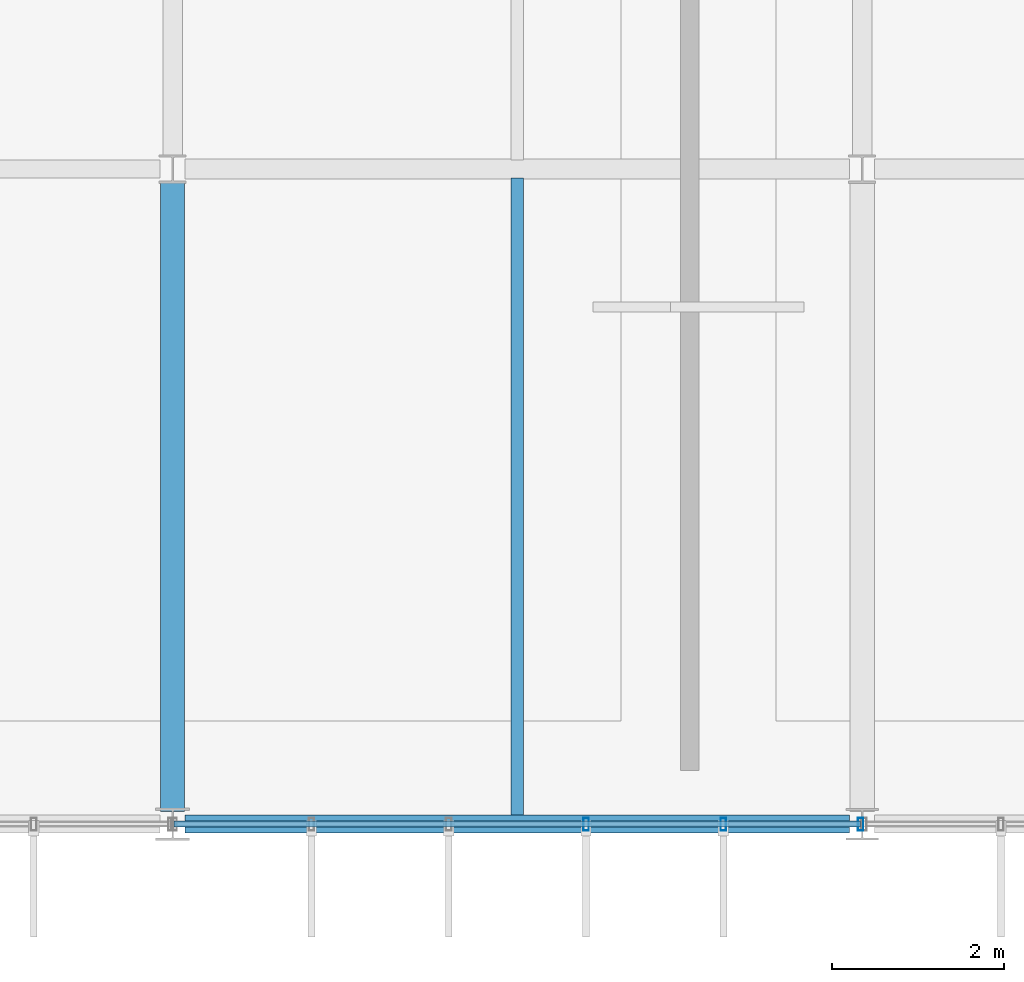
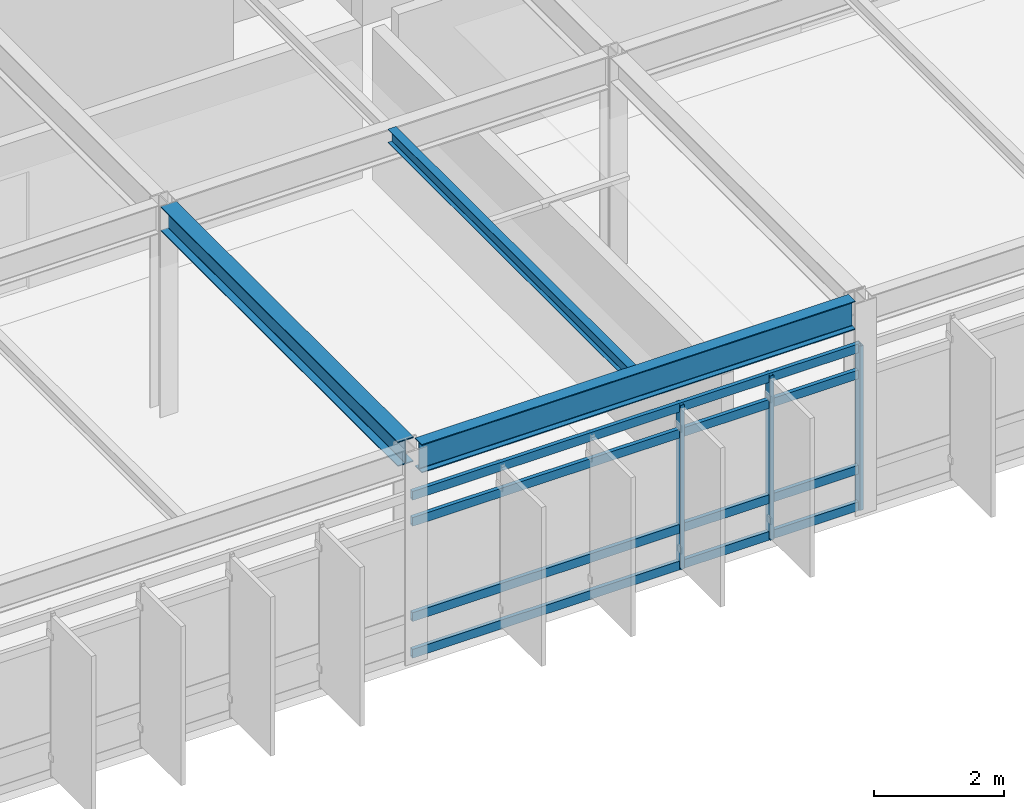
# One storey, part 19 of 85: 7 members, 3 beams, 1 element without a shape of its own.
"""IFC4 building model written with IfcOpenShell, lengths in metres."""

from ifc_helpers import new_model, si_unit, direction, frame, origin, origin_2d, place, context, subcontext, project, spatial, hollow_rectangle, i_section, extrude, material, material_profile, profile_set, type_object, element, aggregate, save


model = new_model("IFC4")

# Units and contexts
model_context = context("Model", 3, precision=1e-05, world=origin(), true_north=direction((0.0, 1.0)))
body_context = subcontext(model_context, "Body", "Model", "MODEL_VIEW")
ifc_project = project(units=[si_unit("LENGTHUNIT", "METRE"), si_unit("AREAUNIT", "SQUARE_METRE"), si_unit("VOLUMEUNIT", "CUBIC_METRE"), si_unit("PLANEANGLEUNIT", "RADIAN"), si_unit("MASSUNIT", "GRAM", prefix="KILO")], contexts=[model_context])

# Site, building, storey
site_placement = place(None, origin())
site = spatial("IfcSite", under=ifc_project, at=site_placement, CompositionType="ELEMENT")
building_placement = place(site_placement, origin())
building = spatial("IfcBuilding", under=site, at=building_placement, Name="Zulena Civic Courthouse", CompositionType="ELEMENT")
storey_placement = place(building_placement, frame((0.0, 0.0, 25.199951171875)))
storey = spatial("IfcBuildingStorey", under=building, at=storey_placement, Name="L05", CompositionType="ELEMENT", Elevation=25.199951171875)

# Curtain wall, members
ifc_material_1 = material(Name="Double-silver low-E laminated solar-control glass", Category="glass")
curtain_wall_type = type_object("IfcCurtainWallType", Name="CW_7964x3090", PredefinedType="USERDEFINED", material=ifc_material_1)
curtain_wall_placement = place(storey_placement, origin())
curtain_wall = element("IfcCurtainWall", 1, at=curtain_wall_placement, inside=storey, type_object=curtain_wall_type, Name="cw:V2:L05:3:6", ObjectType="UNITISED CURTAIN WALL", PredefinedType="USERDEFINED")
ifc_material_2 = material(Name="Bronze anodised thermally broken aluminium AA6063-T6", Category="aluminium")
ifc_material_profile_1 = material_profile(ifc_material_2, hollow_rectangle(XDim=0.06494140625, YDim=0.14990234375, WallThickness=0.00390625, at=origin_2d()), Name="CWM150X65X4")
ifc_profile_set_1 = profile_set([ifc_material_profile_1], Name="Bronze anodised thermally broken aluminium AA6063-T6")
member_type_1 = type_object("IfcMemberType", Name="CWMullion_150x65", PredefinedType="MULLION", material=ifc_profile_set_1)
member_1_placement = place(storey_placement, frame((19.98193359375, 0.0, 0.0), z_axis=(0.0, 0.0, 1.0), x_axis=(1.0, 0.0, 0.0)))
member_1 = element("IfcMember", 2, at=member_1_placement, type_object=member_type_1, Name="cw:V2:L05:3:6:mull:0", PredefinedType="MULLION", context=body_context, shape_type="SweptSolid", body=[
    extrude(hollow_rectangle(XDim=0.06494140625, YDim=0.14990234375, WallThickness=0.00390625, at=origin_2d()), origin(), (0.0, 0.0, 1.0), 3.090087890625),
])
member_2_placement = place(storey_placement, frame((18.38916015625, 0.0, 0.0), z_axis=(0.0, 0.0, 1.0), x_axis=(1.0, 0.0, 0.0)))
member_2 = element("IfcMember", 3, at=member_2_placement, type_object=member_type_1, Name="cw:V2:L05:3:6:mull:1", PredefinedType="MULLION", context=body_context, shape_type="SweptSolid", body=[
    extrude(hollow_rectangle(XDim=0.06494140625, YDim=0.14990234375, WallThickness=0.00390625, at=origin_2d()), origin(), (0.0, 0.0, 1.0), 3.090087890625),
])
member_3_placement = place(storey_placement, frame((16.79638671875, 0.0, 0.0), z_axis=(0.0, 0.0, 1.0), x_axis=(1.0, 0.0, 0.0)))
member_3 = element("IfcMember", 4, at=member_3_placement, type_object=member_type_1, Name="cw:V2:L05:3:6:mull:2", PredefinedType="MULLION", context=body_context, shape_type="SweptSolid", body=[
    extrude(hollow_rectangle(XDim=0.06494140625, YDim=0.14990234375, WallThickness=0.00390625, at=origin_2d()), origin(), (0.0, 0.0, 1.0), 3.090087890625),
])
ifc_material_profile_2 = material_profile(ifc_material_2, hollow_rectangle(XDim=0.070068359375, YDim=0.1650390625, WallThickness=0.00390625, at=origin_2d()), Name="CWT165X70X4")
ifc_profile_set_2 = profile_set([ifc_material_profile_2], Name="Bronze anodised thermally broken aluminium AA6063-T6")
member_type_2 = type_object("IfcMemberType", Name="CWTransom_165x70", PredefinedType="USERDEFINED", material=ifc_profile_set_2)
member_4_placement = place(storey_placement, frame((19.98193359375, 0.0, 0.06005859375), z_axis=(-1.0, 0.0, 0.0), x_axis=(0.0, -1.0, 0.0)))
member_4 = element("IfcMember", 5, at=member_4_placement, type_object=member_type_2, Name="cw:V2:L05:3:6:tran:0", ObjectType="TRANSOM", PredefinedType="USERDEFINED", context=body_context, shape_type="SweptSolid", body=[
    extrude(hollow_rectangle(XDim=0.070068359375, YDim=0.1650390625, WallThickness=0.00390625, at=origin_2d()), origin(), (0.0, 0.0, 1.0), 7.9638671875),
])
member_5_placement = place(storey_placement, frame((19.98193359375, 0.0, 0.75), z_axis=(-1.0, 0.0, 0.0), x_axis=(0.0, -1.0, 0.0)))
member_5 = element("IfcMember", 6, at=member_5_placement, type_object=member_type_2, Name="cw:V2:L05:3:6:tran:1", ObjectType="TRANSOM", PredefinedType="USERDEFINED", context=body_context, shape_type="SweptSolid", body=[
    extrude(hollow_rectangle(XDim=0.070068359375, YDim=0.1650390625, WallThickness=0.00390625, at=origin_2d()), origin(), (0.0, 0.0, 1.0), 7.9638671875),
])
member_6_placement = place(storey_placement, frame((19.98193359375, 0.0, 2.5400390625), z_axis=(-1.0, 0.0, 0.0), x_axis=(0.0, -1.0, 0.0)))
member_6 = element("IfcMember", 7, at=member_6_placement, type_object=member_type_2, Name="cw:V2:L05:3:6:tran:2", ObjectType="TRANSOM", PredefinedType="USERDEFINED", context=body_context, shape_type="SweptSolid", body=[
    extrude(hollow_rectangle(XDim=0.070068359375, YDim=0.1650390625, WallThickness=0.00390625, at=origin_2d()), origin(), (0.0, 0.0, 1.0), 7.9638671875),
])
member_7_placement = place(storey_placement, frame((19.98193359375, 0.0, 3.030029296875), z_axis=(-1.0, 0.0, 0.0), x_axis=(0.0, -1.0, 0.0)))
member_7 = element("IfcMember", 8, at=member_7_placement, type_object=member_type_2, Name="cw:V2:L05:3:6:tran:3", ObjectType="TRANSOM", PredefinedType="USERDEFINED", context=body_context, shape_type="SweptSolid", body=[
    extrude(hollow_rectangle(XDim=0.070068359375, YDim=0.1650390625, WallThickness=0.00390625, at=origin_2d()), origin(), (0.0, 0.0, 1.0), 7.9638671875),
])
aggregate(curtain_wall, [member_1, member_2, member_3, member_4, member_5, member_6, member_7])

# Beams
ifc_material_3 = material(Name="Steel ASTM A992 Grade 50", Category="steel")
ifc_material_profile_3 = material_profile(ifc_material_3, i_section(OverallWidth=0.14599609375, OverallDepth=0.258056640625, WebThickness=0.006103515625, FlangeThickness=0.009033203125, FilletRadius=0.007568359375, at=origin_2d()), Name="W10X22")
ifc_profile_set_3 = profile_set([ifc_material_profile_3], Name="Steel ASTM A992 Grade 50")
beam_type_1 = type_object("IfcBeamType", Name="Joist_W10X22", PredefinedType="JOIST", material=ifc_profile_set_3)
beam_1_placement = place(storey_placement, frame((16.0, 0.10498046875, 3.865966796875), z_axis=(0.0, 1.0, 0.0), x_axis=(-1.0, 0.0, 0.0)))
element("IfcBeam", 9, at=beam_1_placement, inside=storey, type_object=beam_type_1, Name="joist:V2:L05:16.00:0.0_7.6", PredefinedType="JOIST", context=body_context, shape_type="SweptSolid", body=[
    extrude(i_section(OverallWidth=0.14599609375, OverallDepth=0.258056640625, WebThickness=0.006103515625, FlangeThickness=0.009033203125, FilletRadius=0.007568359375, at=origin_2d()), origin(), (0.0, 0.0, 1.0), 7.39013671875),
])
ifc_material_profile_4 = material_profile(ifc_material_3, i_section(OverallWidth=0.280029296875, OverallDepth=0.462890625, WebThickness=0.0107421875, FlangeThickness=0.017333984375, FilletRadius=0.01025390625, at=origin_2d()), Name="W18X76")
ifc_profile_set_4 = profile_set([ifc_material_profile_4], Name="Steel ASTM A992 Grade 50")
beam_type_2 = type_object("IfcBeamType", Name="Spandrel_W18X76", PredefinedType="SPANDREL", material=ifc_profile_set_4)
beam_2_placement = place(storey_placement, frame((12.0, 0.14501953125, 3.758544921875), z_axis=(0.0, 1.0, 0.0), x_axis=(-1.0, 0.0, 0.0)))
element("IfcBeam", 10, at=beam_2_placement, inside=storey, type_object=beam_type_2, Name="beam:Y:V2:L05:12.0:0.0_7.6", PredefinedType="SPANDREL", context=body_context, shape_type="SweptSolid", body=[
    extrude(i_section(OverallWidth=0.280029296875, OverallDepth=0.462890625, WebThickness=0.0107421875, FlangeThickness=0.017333984375, FilletRadius=0.01025390625, at=origin_2d()), origin(), (0.0, 0.0, 1.0), 7.31005859375),
])
ifc_material_profile_5 = material_profile(ifc_material_3, i_section(OverallWidth=0.2099609375, OverallDepth=0.537109375, WebThickness=0.010986328125, FlangeThickness=0.017333984375, FilletRadius=0.0126953125, at=origin_2d()), Name="W21X68")
ifc_profile_set_5 = profile_set([ifc_material_profile_5], Name="Steel ASTM A992 Grade 50")
beam_type_3 = type_object("IfcBeamType", Name="Spandrel_W21X68", PredefinedType="SPANDREL", material=ifc_profile_set_5)
beam_3_placement = place(storey_placement, frame((12.14501953125, 0.0, 3.7265625), z_axis=(1.0, 0.0, 0.0), x_axis=(0.0, 1.0, 0.0)))
element("IfcBeam", 11, at=beam_3_placement, inside=storey, type_object=beam_type_3, Name="beam:X:V2:L05:0.0:12.0_20.0", PredefinedType="SPANDREL", context=body_context, shape_type="SweptSolid", body=[
    extrude(i_section(OverallWidth=0.2099609375, OverallDepth=0.537109375, WebThickness=0.010986328125, FlangeThickness=0.017333984375, FilletRadius=0.0126953125, at=origin_2d()), origin(), (0.0, 0.0, 1.0), 7.7099609375),
])

save(model, "model.ifc")
